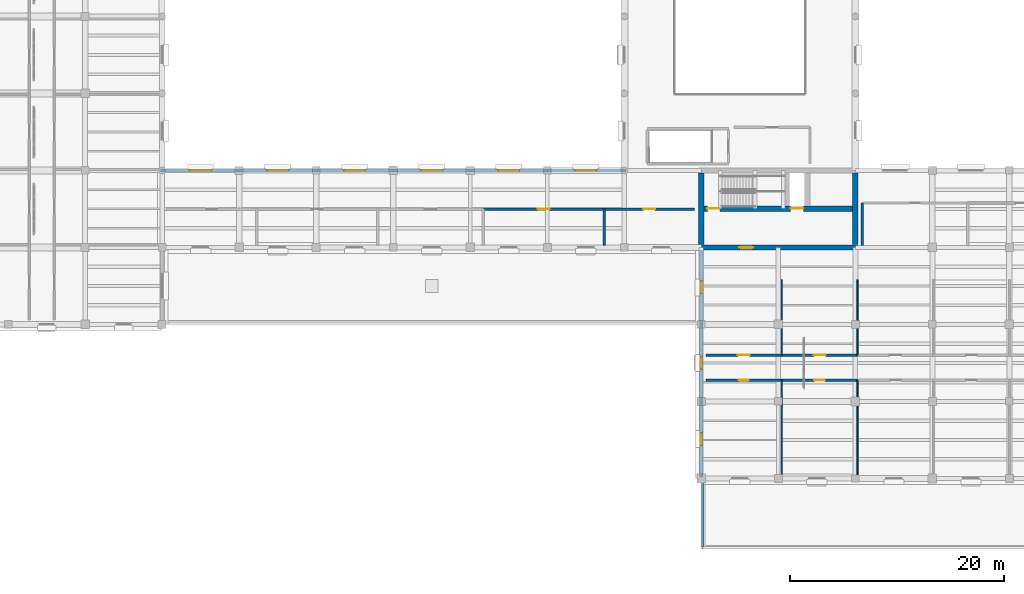
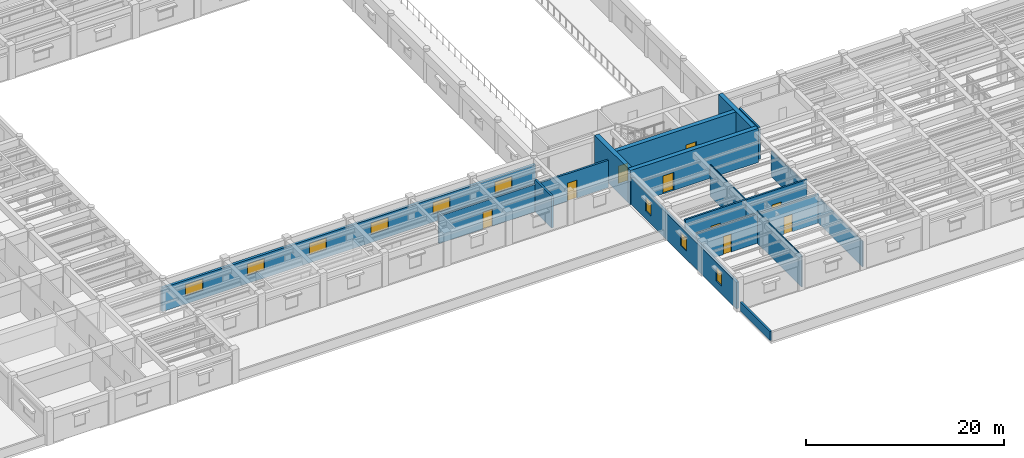
# One storey, part 50 of 76: 19 walls, 9 doors, 9 windows, 18 openings.
"""IFC4 building model written with IfcOpenShell, lengths in metres."""

from ifc_helpers import new_model, si_unit, direction, frame, frame_2d, origin, place, context, subcontext, project, spatial, rectangle, extrude, material, layer, layer_set, type_object, element, fill, save


model = new_model("IFC4")

# Units and contexts
model_context = context("Model", 3, precision=1e-05, world=origin(), true_north=direction((0.0, 1.0)))
body_context = subcontext(model_context, "Body", "Model", "MODEL_VIEW")
ifc_project = project(units=[si_unit("LENGTHUNIT", "METRE"), si_unit("AREAUNIT", "SQUARE_METRE"), si_unit("VOLUMEUNIT", "CUBIC_METRE"), si_unit("PLANEANGLEUNIT", "RADIAN"), si_unit("MASSUNIT", "GRAM", prefix="KILO")], contexts=[model_context])

# Site, building, storey
site_placement = place(None, origin())
site = spatial("IfcSite", under=ifc_project, at=site_placement, CompositionType="ELEMENT")
building_placement = place(site_placement, origin())
building = spatial("IfcBuilding", under=site, at=building_placement, Name="Mithqara Police Headquarters", CompositionType="ELEMENT")
storey_placement = place(building_placement, frame((0.0, 0.0, 5.39990234375)))
storey = spatial("IfcBuildingStorey", under=building, at=storey_placement, Name="L01", CompositionType="ELEMENT", Elevation=5.39990234375)

# Wall, openings, windows
ifc_material_1 = material(Name="Ochre masonry cavity wall, 35 MPa", Category="masonry")
ifc_layer_1 = layer(ifc_material_1, 0.300048828125, Name="Ochre masonry cavity wall, 35 MPa")
ifc_layer_set_1 = layer_set([ifc_layer_1], Name="Ochre masonry cavity wall, 35 MPa")
wall_type_1 = type_object("IfcWallType", Name="EXT WALL OCHRE BRICK300", PredefinedType="SOLIDWALL", material=ifc_layer_set_1)
wall_1_placement = place(storey_placement, frame((79.800048828125, 27.949951171875, 0.0), z_axis=(0.0, 0.0, 1.0), x_axis=(0.0, -1.0, 0.0)))
wall_1 = element("IfcWall", 1, at=wall_1_placement, inside=storey, type_object=wall_type_1, Name="L01 Exterior Wall 1.1", PredefinedType="SOLIDWALL", context=body_context, shape_type="SweptSolid", body=[
    extrude(rectangle(XDim=21.199951171875, YDim=0.300048828125, at=frame_2d((10.60009765625, 0.0))), origin(), (0.0, 0.0, 1.0), 3.27001953125),
])
opening_1_placement = place(wall_1_placement, frame((17.10009765625, 0.0, 1.0)))
opening_1 = element("IfcOpeningElement", 2, at=opening_1_placement, cuts=wall_1, Name="Opening W-12", PredefinedType="OPENING", context=body_context, shape_type="SweptSolid", body=[
    extrude(rectangle(XDim=1.14990234375, YDim=1.64990234375, at=frame_2d((0.574951171875, 0.824951171875))), frame((0.0, 0.16015625, 0.0), z_axis=(0.0, -1.0, 0.0), x_axis=(1.0, 0.0, 0.0)), (0.0, 0.0, 1.0), 0.320068359375),
])
opening_2_placement = place(wall_1_placement, frame((9.97509765625, 0.0, 1.0)))
opening_2 = element("IfcOpeningElement", 3, at=opening_2_placement, cuts=wall_1, Name="Opening W-12", PredefinedType="OPENING", context=body_context, shape_type="SweptSolid", body=[
    extrude(rectangle(XDim=1.14990234375, YDim=1.64990234375, at=frame_2d((0.574951171875, 0.824951171875))), frame((0.0, 0.16015625, 0.0), z_axis=(0.0, -1.0, 0.0), x_axis=(1.0, 0.0, 0.0)), (0.0, 0.0, 1.0), 0.320068359375),
])
opening_3_placement = place(wall_1_placement, frame((2.89990234375, 0.0, 1.0)))
opening_3 = element("IfcOpeningElement", 4, at=opening_3_placement, cuts=wall_1, Name="Opening W-12", PredefinedType="OPENING", context=body_context, shape_type="SweptSolid", body=[
    extrude(rectangle(XDim=1.14990234375, YDim=1.64990234375, at=frame_2d((0.574951171875, 0.824951171875))), frame((0.0, 0.16015625, 0.0), z_axis=(0.0, -1.0, 0.0), x_axis=(1.0, 0.0, 0.0)), (0.0, 0.0, 1.0), 0.320068359375),
])
ifc_material_2 = material(Name="Spectrally selective double low-e glass", Category="glass")
window_type_1 = type_object("IfcWindowType", Name="WINDOW 1150X1650", PartitioningType="SINGLE_PANEL", PredefinedType="WINDOW", material=ifc_material_2)
window_1_placement = place(opening_1_placement, origin())
window_1 = element("IfcWindow", 5, at=window_1_placement, inside=storey, type_object=window_type_1, Name="L01 Deep-Set Punched Window 1.1", OverallHeight=1.64990234375, OverallWidth=1.14990234375, PartitioningType="SINGLE_PANEL", PredefinedType="WINDOW", context=body_context, shape_type="SweptSolid", body=[
    extrude(rectangle(XDim=1.14990234375, YDim=1.64990234375, at=frame_2d((0.574951171875, 0.824951171875))), frame((0.0, 0.030029296875, 0.0), z_axis=(0.0, -1.0, 0.0), x_axis=(1.0, 0.0, 0.0)), (0.0, 0.0, 1.0), 0.06005859375),
])
fill(opening_1, window_1)
window_2_placement = place(opening_2_placement, origin())
window_2 = element("IfcWindow", 6, at=window_2_placement, inside=storey, type_object=window_type_1, Name="L01 Deep-Set Punched Window 1.2", OverallHeight=1.64990234375, OverallWidth=1.14990234375, PartitioningType="SINGLE_PANEL", PredefinedType="WINDOW", context=body_context, shape_type="SweptSolid", body=[
    extrude(rectangle(XDim=1.14990234375, YDim=1.64990234375, at=frame_2d((0.574951171875, 0.824951171875))), frame((0.0, 0.030029296875, 0.0), z_axis=(0.0, -1.0, 0.0), x_axis=(1.0, 0.0, 0.0)), (0.0, 0.0, 1.0), 0.06005859375),
])
fill(opening_2, window_2)
window_3_placement = place(opening_3_placement, origin())
window_3 = element("IfcWindow", 7, at=window_3_placement, inside=storey, type_object=window_type_1, Name="L01 Deep-Set Punched Window 1.3", OverallHeight=1.64990234375, OverallWidth=1.14990234375, PartitioningType="SINGLE_PANEL", PredefinedType="WINDOW", context=body_context, shape_type="SweptSolid", body=[
    extrude(rectangle(XDim=1.14990234375, YDim=1.64990234375, at=frame_2d((0.574951171875, 0.824951171875))), frame((0.0, 0.030029296875, 0.0), z_axis=(0.0, -1.0, 0.0), x_axis=(1.0, 0.0, 0.0)), (0.0, 0.0, 1.0), 0.06005859375),
])
fill(opening_3, window_3)

wall_2_placement = place(storey_placement, frame((72.75, 35.39990234375, 0.0), z_axis=(0.0, 0.0, 1.0), x_axis=(-1.0, 0.0, 0.0)))
wall_2 = element("IfcWall", 8, at=wall_2_placement, inside=storey, type_object=wall_type_1, Name="L01 Exterior Wall 5.1", PredefinedType="SOLIDWALL", context=body_context, shape_type="SweptSolid", body=[
    extrude(rectangle(XDim=43.5, YDim=0.300048828125, at=frame_2d((21.75, 0.0))), origin(), (0.0, 0.0, 1.0), 2.920166015625),
])
opening_4_placement = place(wall_2_placement, frame((38.75, 0.0, 1.0)))
opening_4 = element("IfcOpeningElement", 9, at=opening_4_placement, cuts=wall_2, Name="Opening W-36", PredefinedType="OPENING", context=body_context, shape_type="SweptSolid", body=[
    extrude(rectangle(XDim=2.0, YDim=1.39990234375, at=frame_2d((1.0, 0.699951171875))), frame((0.0, 0.16015625, 0.0), z_axis=(0.0, -1.0, 0.0), x_axis=(1.0, 0.0, 0.0)), (0.0, 0.0, 1.0), 0.320068359375),
])
opening_5_placement = place(wall_2_placement, frame((31.550048828125, 0.0, 1.0)))
opening_5 = element("IfcOpeningElement", 10, at=opening_5_placement, cuts=wall_2, Name="Opening W-36", PredefinedType="OPENING", context=body_context, shape_type="SweptSolid", body=[
    extrude(rectangle(XDim=2.0, YDim=1.39990234375, at=frame_2d((1.0, 0.699951171875))), frame((0.0, 0.16015625, 0.0), z_axis=(0.0, -1.0, 0.0), x_axis=(1.0, 0.0, 0.0)), (0.0, 0.0, 1.0), 0.320068359375),
])
opening_6_placement = place(wall_2_placement, frame((24.35009765625, 0.0, 1.0)))
opening_6 = element("IfcOpeningElement", 11, at=opening_6_placement, cuts=wall_2, Name="Opening W-36", PredefinedType="OPENING", context=body_context, shape_type="SweptSolid", body=[
    extrude(rectangle(XDim=2.0, YDim=1.39990234375, at=frame_2d((1.0, 0.699951171875))), frame((0.0, 0.16015625, 0.0), z_axis=(0.0, -1.0, 0.0), x_axis=(1.0, 0.0, 0.0)), (0.0, 0.0, 1.0), 0.320068359375),
])
opening_7_placement = place(wall_2_placement, frame((17.14990234375, 0.0, 1.0)))
opening_7 = element("IfcOpeningElement", 12, at=opening_7_placement, cuts=wall_2, Name="Opening W-36", PredefinedType="OPENING", context=body_context, shape_type="SweptSolid", body=[
    extrude(rectangle(XDim=2.0, YDim=1.39990234375, at=frame_2d((1.0, 0.699951171875))), frame((0.0, 0.16015625, 0.0), z_axis=(0.0, -1.0, 0.0), x_axis=(1.0, 0.0, 0.0)), (0.0, 0.0, 1.0), 0.320068359375),
])
opening_8_placement = place(wall_2_placement, frame((9.949951171875, 0.0, 1.0)))
opening_8 = element("IfcOpeningElement", 13, at=opening_8_placement, cuts=wall_2, Name="Opening W-36", PredefinedType="OPENING", context=body_context, shape_type="SweptSolid", body=[
    extrude(rectangle(XDim=2.0, YDim=1.39990234375, at=frame_2d((1.0, 0.699951171875))), frame((0.0, 0.16015625, 0.0), z_axis=(0.0, -1.0, 0.0), x_axis=(1.0, 0.0, 0.0)), (0.0, 0.0, 1.0), 0.320068359375),
])
opening_9_placement = place(wall_2_placement, frame((2.75, 0.0, 1.0)))
opening_9 = element("IfcOpeningElement", 14, at=opening_9_placement, cuts=wall_2, Name="Opening W-36", PredefinedType="OPENING", context=body_context, shape_type="SweptSolid", body=[
    extrude(rectangle(XDim=2.0, YDim=1.39990234375, at=frame_2d((1.0, 0.699951171875))), frame((0.0, 0.16015625, 0.0), z_axis=(0.0, -1.0, 0.0), x_axis=(1.0, 0.0, 0.0)), (0.0, 0.0, 1.0), 0.320068359375),
])
window_type_2 = type_object("IfcWindowType", Name="WINDOW 2000X1400", PartitioningType="DOUBLE_PANEL_VERTICAL", PredefinedType="WINDOW", material=ifc_material_2)
window_4_placement = place(opening_4_placement, origin())
window_4 = element("IfcWindow", 15, at=window_4_placement, inside=storey, type_object=window_type_2, Name="L01 Deep-Set Punched Window 5.1", OverallHeight=1.39990234375, OverallWidth=2.0, PartitioningType="SINGLE_PANEL", PredefinedType="WINDOW", context=body_context, shape_type="SweptSolid", body=[
    extrude(rectangle(XDim=2.0, YDim=1.39990234375, at=frame_2d((1.0, 0.699951171875))), frame((0.0, 0.030029296875, 0.0), z_axis=(0.0, -1.0, 0.0), x_axis=(1.0, 0.0, 0.0)), (0.0, 0.0, 1.0), 0.06005859375),
])
fill(opening_4, window_4)
window_5_placement = place(opening_5_placement, origin())
window_5 = element("IfcWindow", 16, at=window_5_placement, inside=storey, type_object=window_type_2, Name="L01 Deep-Set Punched Window 5.2", OverallHeight=1.39990234375, OverallWidth=2.0, PartitioningType="SINGLE_PANEL", PredefinedType="WINDOW", context=body_context, shape_type="SweptSolid", body=[
    extrude(rectangle(XDim=2.0, YDim=1.39990234375, at=frame_2d((1.0, 0.699951171875))), frame((0.0, 0.030029296875, 0.0), z_axis=(0.0, -1.0, 0.0), x_axis=(1.0, 0.0, 0.0)), (0.0, 0.0, 1.0), 0.06005859375),
])
fill(opening_5, window_5)
window_6_placement = place(opening_6_placement, origin())
window_6 = element("IfcWindow", 17, at=window_6_placement, inside=storey, type_object=window_type_2, Name="L01 Deep-Set Punched Window 5.3", OverallHeight=1.39990234375, OverallWidth=2.0, PartitioningType="SINGLE_PANEL", PredefinedType="WINDOW", context=body_context, shape_type="SweptSolid", body=[
    extrude(rectangle(XDim=2.0, YDim=1.39990234375, at=frame_2d((1.0, 0.699951171875))), frame((0.0, 0.030029296875, 0.0), z_axis=(0.0, -1.0, 0.0), x_axis=(1.0, 0.0, 0.0)), (0.0, 0.0, 1.0), 0.06005859375),
])
fill(opening_6, window_6)
window_7_placement = place(opening_7_placement, origin())
window_7 = element("IfcWindow", 18, at=window_7_placement, inside=storey, type_object=window_type_2, Name="L01 Deep-Set Punched Window 5.4", OverallHeight=1.39990234375, OverallWidth=2.0, PartitioningType="SINGLE_PANEL", PredefinedType="WINDOW", context=body_context, shape_type="SweptSolid", body=[
    extrude(rectangle(XDim=2.0, YDim=1.39990234375, at=frame_2d((1.0, 0.699951171875))), frame((0.0, 0.030029296875, 0.0), z_axis=(0.0, -1.0, 0.0), x_axis=(1.0, 0.0, 0.0)), (0.0, 0.0, 1.0), 0.06005859375),
])
fill(opening_7, window_7)
window_8_placement = place(opening_8_placement, origin())
window_8 = element("IfcWindow", 19, at=window_8_placement, inside=storey, type_object=window_type_2, Name="L01 Deep-Set Punched Window 5.5", OverallHeight=1.39990234375, OverallWidth=2.0, PartitioningType="SINGLE_PANEL", PredefinedType="WINDOW", context=body_context, shape_type="SweptSolid", body=[
    extrude(rectangle(XDim=2.0, YDim=1.39990234375, at=frame_2d((1.0, 0.699951171875))), frame((0.0, 0.030029296875, 0.0), z_axis=(0.0, -1.0, 0.0), x_axis=(1.0, 0.0, 0.0)), (0.0, 0.0, 1.0), 0.06005859375),
])
fill(opening_8, window_8)
window_9_placement = place(opening_9_placement, origin())
window_9 = element("IfcWindow", 20, at=window_9_placement, inside=storey, type_object=window_type_2, Name="L01 Deep-Set Punched Window 5.6", OverallHeight=1.39990234375, OverallWidth=2.0, PartitioningType="SINGLE_PANEL", PredefinedType="WINDOW", context=body_context, shape_type="SweptSolid", body=[
    extrude(rectangle(XDim=2.0, YDim=1.39990234375, at=frame_2d((1.0, 0.699951171875))), frame((0.0, 0.030029296875, 0.0), z_axis=(0.0, -1.0, 0.0), x_axis=(1.0, 0.0, 0.0)), (0.0, 0.0, 1.0), 0.06005859375),
])
fill(opening_9, window_9)

# Walls
ifc_material_3 = material(Name="Limestone ashlar masonry, 45 MPa", Category="masonry")
ifc_layer_2 = layer(ifc_material_3, 0.199951171875, Name="Limestone ashlar masonry, 45 MPa")
ifc_layer_set_2 = layer_set([ifc_layer_2], Name="Limestone ashlar masonry, 45 MPa")
wall_type_2 = type_object("IfcWallType", Name="PARAPET WALL 200", PredefinedType="PARAPET", material=ifc_layer_set_2)
wall_3_placement = place(storey_placement, frame((79.909912109375, 0.219970703125, 0.0), z_axis=(0.0, 0.0, 1.0), x_axis=(0.0, 1.0, 0.0)))
element("IfcWall", 21, at=wall_3_placement, inside=storey, type_object=wall_type_2, Name="L01 Limestone Roof Parapet ROOF-L00-03-72", PredefinedType="PARAPET", context=body_context, shape_type="SweptSolid", body=[
    extrude(rectangle(XDim=6.050048828125, YDim=0.199951171875, at=frame_2d((3.02490234375, 0.0))), origin(), (0.0, 0.0, 1.0), 1.1201171875),
])
ifc_material_4 = material(Name="Gypsum acoustic stud partition", Category="gypsum")
ifc_layer_3 = layer(ifc_material_4, 0.1201171875, Name="Gypsum acoustic stud partition")
ifc_layer_set_3 = layer_set([ifc_layer_3], Name="Gypsum acoustic stud partition")
wall_type_3 = type_object("IfcWallType", Name="PART WALL 120", PredefinedType="PARTITIONING", material=ifc_layer_set_3)
wall_4_placement = place(storey_placement, frame((87.31494140625, 6.780029296875, 0.0), z_axis=(0.0, 0.0, 1.0), x_axis=(0.0, 1.0, 0.0)))
element("IfcWall", 22, at=wall_4_placement, inside=storey, type_object=wall_type_3, Name="L01 Room Partition Custody Suite", PredefinedType="PARTITIONING", context=body_context, shape_type="SweptSolid", body=[
    extrude(rectangle(XDim=9.010009765625, YDim=0.1201171875, at=frame_2d((4.5048828125, 0.0))), origin(), (0.0, 0.0, 1.0), 3.920166015625),
])
wall_5_placement = place(storey_placement, frame((94.409912109375, 6.780029296875, 0.0), z_axis=(0.0, 0.0, 1.0), x_axis=(0.0, 1.0, 0.0)))
element("IfcWall", 23, at=wall_5_placement, inside=storey, type_object=wall_type_3, Name="L01 Room Partition Custody Cell Block Male", PredefinedType="PARTITIONING", context=body_context, shape_type="SweptSolid", body=[
    extrude(rectangle(XDim=9.010009765625, YDim=0.1201171875, at=frame_2d((4.5048828125, 0.0))), origin(), (0.0, 0.0, 1.0), 3.170166015625),
])
wall_6_placement = place(storey_placement, frame((87.31494140625, 18.1298828125, 0.0), z_axis=(0.0, 0.0, 1.0), x_axis=(0.0, 1.0, 0.0)))
element("IfcWall", 24, at=wall_6_placement, inside=storey, type_object=wall_type_3, Name="L01 Room Partition Juvenile Custody Suite", PredefinedType="PARTITIONING", context=body_context, shape_type="SweptSolid", body=[
    extrude(rectangle(XDim=7.070068359375, YDim=0.1201171875, at=frame_2d((3.53515625, 0.0))), origin(), (0.0, 0.0, 1.0), 3.920166015625),
])
wall_7_placement = place(storey_placement, frame((94.409912109375, 18.1298828125, 0.0), z_axis=(0.0, 0.0, 1.0), x_axis=(0.0, 1.0, 0.0)))
element("IfcWall", 25, at=wall_7_placement, inside=storey, type_object=wall_type_3, Name="L01 Room Partition Custody Interview Room", PredefinedType="PARTITIONING", context=body_context, shape_type="SweptSolid", body=[
    extrude(rectangle(XDim=7.070068359375, YDim=0.1201171875, at=frame_2d((3.53515625, 0.0))), origin(), (0.0, 0.0, 1.0), 3.170166015625),
])
ifc_material_5 = material(Name="Concrete C40/50", Category="concrete")
ifc_layer_4 = layer(ifc_material_5, 0.2099609375, Name="Concrete C40/50")
ifc_layer_set_4 = layer_set([ifc_layer_4], Name="Concrete C40/50")
wall_type_4 = type_object("IfcWallType", Name="PART WALL 210", PredefinedType="PARTITIONING", material=ifc_layer_set_4)
wall_8_placement = place(storey_placement, frame((94.85009765625, 28.3798828125, 0.0), z_axis=(0.0, 0.0, 1.0), x_axis=(0.0, 1.0, 0.0)))
element("IfcWall", 26, at=wall_8_placement, inside=storey, type_object=wall_type_4, Name="L01 Partition End Closure E0", PredefinedType="PARTITIONING", context=body_context, shape_type="SweptSolid", body=[
    extrude(rectangle(XDim=3.980224609375, YDim=0.2099609375, at=frame_2d((1.990234375, 0.0))), origin(), (0.0, 0.0, 1.0), 3.920166015625),
])

# Wall, opening, door
wall_9_placement = place(storey_placement, frame((80.219970703125, 15.7900390625, 0.0), z_axis=(0.0, 0.0, 1.0), x_axis=(1.0, 0.0, 0.0)))
wall_9 = element("IfcWall", 27, at=wall_9_placement, inside=storey, type_object=wall_type_4, Name="L01 Corridor Wall Custody Suite", PredefinedType="PARTITIONING", context=body_context, shape_type="SweptSolid", body=[
    extrude(rectangle(XDim=7.094970703125, YDim=0.2099609375, at=frame_2d((3.54736328125, 0.0))), origin(), (0.0, 0.0, 1.0), 3.6201171875),
])
opening_10_placement = place(wall_9_placement, frame((3.08740234375, 0.0, 0.0)))
opening_10 = element("IfcOpeningElement", 28, at=opening_10_placement, cuts=wall_9, Name="Opening D-02", PredefinedType="OPENING", context=body_context, shape_type="SweptSolid", body=[
    extrude(rectangle(XDim=0.919921875, YDim=2.219970703125, at=frame_2d((0.4599609375, 1.10986328125))), frame((0.0, 0.114990234375, 0.0), z_axis=(0.0, -1.0, 0.0), x_axis=(1.0, 0.0, 0.0)), (0.0, 0.0, 1.0), 0.22998046875),
])
ifc_material_6 = material(Name="Acoustic solid-core timber leaf", Category="wood")
door_type_1 = type_object("IfcDoorType", Name="INT DOOR 920X2220", OperationType="NOTDEFINED", PredefinedType="DOOR", material=ifc_material_6)
door_1_placement = place(opening_10_placement, frame((0.919921875, 0.0, 0.0), z_axis=(0.0, 0.0, 1.0), x_axis=(-1.0, 0.0, 0.0)))
door_1 = element("IfcDoor", 29, at=door_1_placement, inside=storey, type_object=door_type_1, Name="Custody Suite Entry Door", OperationType="SINGLE_SWING_LEFT", OverallHeight=2.219970703125, OverallWidth=0.919921875, PredefinedType="DOOR", context=body_context, shape_type="SweptSolid", body=[
    extrude(rectangle(XDim=0.919921875, YDim=2.219970703125, at=frame_2d((0.4599609375, 1.10986328125))), frame((0.0, 0.02490234375, 0.0), z_axis=(0.0, -1.0, 0.0), x_axis=(1.0, 0.0, 0.0)), (0.0, 0.0, 1.0), 0.050048828125),
])
fill(opening_10, door_1)

wall_10_placement = place(storey_placement, frame((87.31494140625, 15.7900390625, 0.0), z_axis=(0.0, 0.0, 1.0), x_axis=(1.0, 0.0, 0.0)))
wall_10 = element("IfcWall", 30, at=wall_10_placement, inside=storey, type_object=wall_type_4, Name="L01 Corridor Wall Custody Cell Block Male", PredefinedType="PARTITIONING", context=body_context, shape_type="SweptSolid", body=[
    extrude(rectangle(XDim=7.094970703125, YDim=0.2099609375, at=frame_2d((3.54736328125, 0.0))), origin(), (0.0, 0.0, 1.0), 3.56005859375),
])
opening_11_placement = place(wall_10_placement, frame((3.047607421875, 0.0, 0.0)))
opening_11 = element("IfcOpeningElement", 31, at=opening_11_placement, cuts=wall_10, Name="Opening CD-01", PredefinedType="OPENING", context=body_context, shape_type="SweptSolid", body=[
    extrude(rectangle(XDim=1.0, YDim=2.14990234375, at=frame_2d((0.5, 1.074951171875))), frame((0.0, 0.114990234375, 0.0), z_axis=(0.0, -1.0, 0.0), x_axis=(1.0, 0.0, 0.0)), (0.0, 0.0, 1.0), 0.22998046875),
])
ifc_material_7 = material(Name="Steel S355JR", Category="steel")
door_type_2 = type_object("IfcDoorType", Name="CUSTODY DOOR 1000X2150", OperationType="NOTDEFINED", PredefinedType="DOOR", material=ifc_material_7)
door_2_placement = place(opening_11_placement, frame((1.0, 0.0, 0.0), z_axis=(0.0, 0.0, 1.0), x_axis=(-1.0, 0.0, 0.0)))
door_2 = element("IfcDoor", 32, at=door_2_placement, inside=storey, type_object=door_type_2, Name="Custody Cell Block Male Entry Door", OperationType="SINGLE_SWING_RIGHT", OverallHeight=2.14990234375, OverallWidth=1.0, PredefinedType="DOOR", context=body_context, shape_type="SweptSolid", body=[
    extrude(rectangle(XDim=1.0, YDim=2.14990234375, at=frame_2d((0.5, 1.074951171875))), frame((0.0, 0.02490234375, 0.0), z_axis=(0.0, -1.0, 0.0), x_axis=(1.0, 0.0, 0.0)), (0.0, 0.0, 1.0), 0.050048828125),
])
fill(opening_11, door_2)

wall_11_placement = place(storey_placement, frame((80.219970703125, 18.1298828125, 0.0), z_axis=(0.0, 0.0, 1.0), x_axis=(1.0, 0.0, 0.0)))
wall_11 = element("IfcWall", 33, at=wall_11_placement, inside=storey, type_object=wall_type_4, Name="L01 Corridor Wall Juvenile Custody Suite", PredefinedType="PARTITIONING", context=body_context, shape_type="SweptSolid", body=[
    extrude(rectangle(XDim=7.094970703125, YDim=0.2099609375, at=frame_2d((3.54736328125, 0.0))), origin(), (0.0, 0.0, 1.0), 3.920166015625),
])
opening_12_placement = place(wall_11_placement, frame((2.99755859375, 0.0, 0.0)))
opening_12 = element("IfcOpeningElement", 34, at=opening_12_placement, cuts=wall_11, Name="Opening D-10", PredefinedType="OPENING", context=body_context, shape_type="SweptSolid", body=[
    extrude(rectangle(XDim=1.10009765625, YDim=2.10009765625, at=frame_2d((0.550048828125, 1.050048828125))), frame((0.0, 0.114990234375, 0.0), z_axis=(0.0, -1.0, 0.0), x_axis=(1.0, 0.0, 0.0)), (0.0, 0.0, 1.0), 0.22998046875),
])
door_type_3 = type_object("IfcDoorType", Name="INT DOOR 1100X2100", OperationType="NOTDEFINED", PredefinedType="DOOR", material=ifc_material_6)
door_3_placement = place(opening_12_placement, origin())
door_3 = element("IfcDoor", 35, at=door_3_placement, inside=storey, type_object=door_type_3, Name="Juvenile Custody Suite Entry Door", OperationType="SINGLE_SWING_LEFT", OverallHeight=2.10009765625, OverallWidth=1.10009765625, PredefinedType="DOOR", context=body_context, shape_type="SweptSolid", body=[
    extrude(rectangle(XDim=1.10009765625, YDim=2.10009765625, at=frame_2d((0.550048828125, 1.050048828125))), frame((0.0, 0.02490234375, 0.0), z_axis=(0.0, -1.0, 0.0), x_axis=(1.0, 0.0, 0.0)), (0.0, 0.0, 1.0), 0.050048828125),
])
fill(opening_12, door_3)

wall_12_placement = place(storey_placement, frame((87.31494140625, 18.1298828125, 0.0), z_axis=(0.0, 0.0, 1.0), x_axis=(1.0, 0.0, 0.0)))
wall_12 = element("IfcWall", 36, at=wall_12_placement, inside=storey, type_object=wall_type_4, Name="L01 Corridor Wall Custody Interview Room", PredefinedType="PARTITIONING", context=body_context, shape_type="SweptSolid", body=[
    extrude(rectangle(XDim=7.094970703125, YDim=0.2099609375, at=frame_2d((3.54736328125, 0.0))), origin(), (0.0, 0.0, 1.0), 3.920166015625),
])
opening_13_placement = place(wall_12_placement, frame((2.99755859375, 0.0, 0.0)))
opening_13 = element("IfcOpeningElement", 37, at=opening_13_placement, cuts=wall_12, Name="Opening D-11", PredefinedType="OPENING", context=body_context, shape_type="SweptSolid", body=[
    extrude(rectangle(XDim=1.10009765625, YDim=2.219970703125, at=frame_2d((0.550048828125, 1.10986328125))), frame((0.0, 0.114990234375, 0.0), z_axis=(0.0, -1.0, 0.0), x_axis=(1.0, 0.0, 0.0)), (0.0, 0.0, 1.0), 0.22998046875),
])
door_type_4 = type_object("IfcDoorType", Name="INT DOOR 1100X2220", OperationType="NOTDEFINED", PredefinedType="DOOR", material=ifc_material_6)
door_4_placement = place(opening_13_placement, origin())
door_4 = element("IfcDoor", 38, at=door_4_placement, inside=storey, type_object=door_type_4, Name="Custody Interview Room Entry Door", OperationType="SINGLE_SWING_RIGHT", OverallHeight=2.219970703125, OverallWidth=1.10009765625, PredefinedType="DOOR", context=body_context, shape_type="SweptSolid", body=[
    extrude(rectangle(XDim=1.10009765625, YDim=2.219970703125, at=frame_2d((0.550048828125, 1.10986328125))), frame((0.0, 0.02490234375, 0.0), z_axis=(0.0, -1.0, 0.0), x_axis=(1.0, 0.0, 0.0)), (0.0, 0.0, 1.0), 0.050048828125),
])
fill(opening_13, door_4)

ifc_layer_5 = layer(ifc_material_5, 0.22998046875, Name="Concrete C40/50")
ifc_layer_set_5 = layer_set([ifc_layer_5], Name="Concrete C40/50")
wall_type_5 = type_object("IfcWallType", Name="PART WALL 230", PredefinedType="PARTITIONING", material=ifc_layer_set_5)
wall_13_placement = place(storey_placement, frame((59.41796875, 31.780029296875, 0.0), z_axis=(0.0, 0.0, 1.0), x_axis=(1.0, 0.0, 0.0)))
wall_13 = element("IfcWall", 39, at=wall_13_placement, inside=storey, type_object=wall_type_5, Name="L01 Corridor Wall Juvenile Welfare Consultation Room", PredefinedType="PARTITIONING", context=body_context, shape_type="SweptSolid", body=[
    extrude(rectangle(XDim=11.31591796875, YDim=0.22998046875, at=frame_2d((5.657958984375, 0.0))), origin(), (0.0, 0.0, 1.0), 3.3701171875),
])
opening_14_placement = place(wall_13_placement, frame((5.10791015625, 0.0, 0.0)))
opening_14 = element("IfcOpeningElement", 40, at=opening_14_placement, cuts=wall_13, Name="Opening D-10", PredefinedType="OPENING", context=body_context, shape_type="SweptSolid", body=[
    extrude(rectangle(XDim=1.10009765625, YDim=2.10009765625, at=frame_2d((0.550048828125, 1.050048828125))), frame((0.0, 0.125, 0.0), z_axis=(0.0, -1.0, 0.0), x_axis=(1.0, 0.0, 0.0)), (0.0, 0.0, 1.0), 0.25),
])
door_5_placement = place(opening_14_placement, frame((1.10009765625, 0.0, 0.0), z_axis=(0.0, 0.0, 1.0), x_axis=(-1.0, 0.0, 0.0)))
door_5 = element("IfcDoor", 41, at=door_5_placement, inside=storey, type_object=door_type_3, Name="Juvenile Welfare Consultation Room Entry Door", OperationType="SINGLE_SWING_LEFT", OverallHeight=2.10009765625, OverallWidth=1.10009765625, PredefinedType="DOOR", context=body_context, shape_type="SweptSolid", body=[
    extrude(rectangle(XDim=1.10009765625, YDim=2.10009765625, at=frame_2d((0.550048828125, 1.050048828125))), frame((0.0, 0.02490234375, 0.0), z_axis=(0.0, -1.0, 0.0), x_axis=(1.0, 0.0, 0.0)), (0.0, 0.0, 1.0), 0.050048828125),
])
fill(opening_14, door_5)

# Wall
wall_14_placement = place(storey_placement, frame((70.73388671875, 28.3798828125, 0.0), z_axis=(0.0, 0.0, 1.0), x_axis=(0.0, 1.0, 0.0)))
element("IfcWall", 42, at=wall_14_placement, inside=storey, type_object=wall_type_5, Name="L01 Room Partition Juvenile Welfare Consultation Room", PredefinedType="PARTITIONING", context=body_context, shape_type="SweptSolid", body=[
    extrude(rectangle(XDim=3.400146484375, YDim=0.22998046875, at=frame_2d((1.7001953125, 0.0))), origin(), (0.0, 0.0, 1.0), 3.920166015625),
])

# Wall, opening, door
wall_15_placement = place(storey_placement, frame((70.73388671875, 31.780029296875, 0.0), z_axis=(0.0, 0.0, 1.0), x_axis=(1.0, 0.0, 0.0)))
wall_15 = element("IfcWall", 43, at=wall_15_placement, inside=storey, type_object=wall_type_5, Name="L01 Corridor Wall Family Protection Suite", PredefinedType="PARTITIONING", context=body_context, shape_type="SweptSolid", body=[
    extrude(rectangle(XDim=8.416015625, YDim=0.22998046875, at=frame_2d((4.2080078125, 0.0))), origin(), (0.0, 0.0, 1.0), 3.3701171875),
])
opening_15_placement = place(wall_15_placement, frame((3.657958984375, 0.0, 0.0)))
opening_15 = element("IfcOpeningElement", 44, at=opening_15_placement, cuts=wall_15, Name="Opening D-11", PredefinedType="OPENING", context=body_context, shape_type="SweptSolid", body=[
    extrude(rectangle(XDim=1.10009765625, YDim=2.219970703125, at=frame_2d((0.550048828125, 1.10986328125))), frame((0.0, 0.125, 0.0), z_axis=(0.0, -1.0, 0.0), x_axis=(1.0, 0.0, 0.0)), (0.0, 0.0, 1.0), 0.25),
])
door_6_placement = place(opening_15_placement, frame((1.10009765625, 0.0, 0.0), z_axis=(0.0, 0.0, 1.0), x_axis=(-1.0, 0.0, 0.0)))
door_6 = element("IfcDoor", 45, at=door_6_placement, inside=storey, type_object=door_type_4, Name="Family Protection Suite Entry Door", OperationType="SINGLE_SWING_RIGHT", OverallHeight=2.219970703125, OverallWidth=1.10009765625, PredefinedType="DOOR", context=body_context, shape_type="SweptSolid", body=[
    extrude(rectangle(XDim=1.10009765625, YDim=2.219970703125, at=frame_2d((0.550048828125, 1.10986328125))), frame((0.0, 0.02490234375, 0.0), z_axis=(0.0, -1.0, 0.0), x_axis=(1.0, 0.0, 0.0)), (0.0, 0.0, 1.0), 0.050048828125),
])
fill(opening_15, door_6)

ifc_material_8 = material(Name="Concrete C50/60", Category="concrete")
ifc_layer_6 = layer(ifc_material_8, 0.5, Name="Concrete C50/60")
ifc_layer_set_6 = layer_set([ifc_layer_6], Name="Concrete C50/60")
wall_type_6 = type_object("IfcWallType", Name="SHEAR WALL 500", PredefinedType="SHEAR", material=ifc_layer_set_6)
wall_16_placement = place(storey_placement, frame((79.550048828125, 28.199951171875, 0.0), z_axis=(0.0, 0.0, 1.0), x_axis=(1.0, 0.0, 0.0)))
wall_16 = element("IfcWall", 46, at=wall_16_placement, inside=storey, type_object=wall_type_6, Name="Core C5 Courtyard South Shear Wall S", PredefinedType="SHEAR", context=body_context, shape_type="SweptSolid", body=[
    extrude(rectangle(XDim=14.89990234375, YDim=0.5, at=frame_2d((7.449951171875, 0.0))), origin(), (0.0, 0.0, 1.0), 4.2001953125),
])
opening_16_placement = place(wall_16_placement, frame((3.800048828125, 0.0, 0.0)))
opening_16 = element("IfcOpeningElement", 47, at=opening_16_placement, cuts=wall_16, Name="Opening FD-02", PredefinedType="OPENING", context=body_context, shape_type="SweptSolid", body=[
    extrude(rectangle(XDim=1.300048828125, YDim=2.199951171875, at=frame_2d((0.64990234375, 1.10009765625))), frame((0.0, 0.260009765625, 0.0), z_axis=(0.0, -1.0, 0.0), x_axis=(1.0, 0.0, 0.0)), (0.0, 0.0, 1.0), 0.52001953125),
])
door_type_5 = type_object("IfcDoorType", Name="CORE DOOR LOBBY 1300X2200", OperationType="NOTDEFINED", PredefinedType="DOOR", material=ifc_material_7)
door_7_placement = place(opening_16_placement, frame((1.300048828125, 0.0, 0.0), z_axis=(0.0, 0.0, 1.0), x_axis=(-1.0, 0.0, 0.0)))
door_7 = element("IfcDoor", 48, at=door_7_placement, inside=storey, type_object=door_type_5, Name="Core C5 Courtyard South Lobby Fire Door L01", OperationType="SINGLE_SWING_LEFT", OverallHeight=2.199951171875, OverallWidth=1.300048828125, PredefinedType="DOOR", context=body_context, shape_type="SweptSolid", body=[
    extrude(rectangle(XDim=1.300048828125, YDim=2.199951171875, at=frame_2d((0.64990234375, 1.10009765625))), frame((0.0, 0.02490234375, 0.0), z_axis=(0.0, -1.0, 0.0), x_axis=(1.0, 0.0, 0.0)), (0.0, 0.0, 1.0), 0.050048828125),
])
fill(opening_16, door_7)

# Walls
for number, where, z_axis, x_axis, name in (
    (49, (79.800048828125, 28.4599609375, 0.0), (0.0, 0.0, 1.0), (0.0, 1.0, 0.0), "Core C5 Courtyard South Shear Wall W"),
    (50, (94.199951171875, 28.4599609375, 0.0), (0.0, 0.0, 1.0), (0.0, 1.0, 0.0), "Core C5 Courtyard South Shear Wall E"),
):
    element("IfcWall", number, at=place(storey_placement, frame(where, z_axis=z_axis, x_axis=x_axis)), inside=storey, type_object=wall_type_6, Name=name, PredefinedType="SHEAR", context=body_context, shape_type="SweptSolid", body=[
        extrude(rectangle(XDim=6.679931640625, YDim=0.5, at=frame_2d((3.33984375, 0.0))), origin(), (0.0, 0.0, 1.0), 4.2001953125),
    ])

# Wall, openings, doors
wall_17_placement = place(storey_placement, frame((80.06005859375, 31.820068359375, 0.0), z_axis=(0.0, 0.0, 1.0), x_axis=(1.0, 0.0, 0.0)))
wall_17 = element("IfcWall", 51, at=wall_17_placement, inside=storey, type_object=wall_type_6, Name="Core C5 Courtyard South Shear Wall M", PredefinedType="SHEAR", context=body_context, shape_type="SweptSolid", body=[
    extrude(rectangle(XDim=13.8798828125, YDim=0.5, at=frame_2d((6.93994140625, 0.0))), origin(), (0.0, 0.0, 1.0), 4.2001953125),
])
opening_17_placement = place(wall_17_placement, frame((8.080078125, 0.0, 0.0)))
opening_17 = element("IfcOpeningElement", 52, at=opening_17_placement, cuts=wall_17, Name="Opening LD-02", PredefinedType="OPENING", context=body_context, shape_type="SweptSolid", body=[
    extrude(rectangle(XDim=1.199951171875, YDim=2.14990234375, at=frame_2d((0.60009765625, 1.074951171875))), frame((0.0, 0.260009765625, 0.0), z_axis=(0.0, -1.0, 0.0), x_axis=(1.0, 0.0, 0.0)), (0.0, 0.0, 1.0), 0.52001953125),
])
opening_18_placement = place(wall_17_placement, frame((0.31494140625, 0.0, 0.0)))
opening_18 = element("IfcOpeningElement", 53, at=opening_18_placement, cuts=wall_17, Name="Opening FD-01", PredefinedType="OPENING", context=body_context, shape_type="SweptSolid", body=[
    extrude(rectangle(XDim=1.14990234375, YDim=2.14990234375, at=frame_2d((0.574951171875, 1.074951171875))), frame((0.0, 0.260009765625, 0.0), z_axis=(0.0, -1.0, 0.0), x_axis=(1.0, 0.0, 0.0)), (0.0, 0.0, 1.0), 0.52001953125),
])
door_type_6 = type_object("IfcDoorType", Name="CORE DOOR STAIR 1150X2150", OperationType="NOTDEFINED", PredefinedType="DOOR", material=ifc_material_7)
door_8_placement = place(opening_18_placement, origin())
door_8 = element("IfcDoor", 54, at=door_8_placement, inside=storey, type_object=door_type_6, Name="Stair ST-07 Fire Door L01", OperationType="SINGLE_SWING_LEFT", OverallHeight=2.14990234375, OverallWidth=1.14990234375, PredefinedType="DOOR", context=body_context, shape_type="SweptSolid", body=[
    extrude(rectangle(XDim=1.14990234375, YDim=2.14990234375, at=frame_2d((0.574951171875, 1.074951171875))), frame((0.0, 0.02490234375, 0.0), z_axis=(0.0, -1.0, 0.0), x_axis=(1.0, 0.0, 0.0)), (0.0, 0.0, 1.0), 0.050048828125),
])
fill(opening_18, door_8)
door_type_7 = type_object("IfcDoorType", Name="LIFT DOOR 1200X2150", OperationType="DOUBLE_DOOR_SLIDING", PredefinedType="DOOR", material=ifc_material_7)
door_9_placement = place(opening_17_placement, frame((1.199951171875, 0.0, 0.0), z_axis=(0.0, 0.0, 1.0), x_axis=(-1.0, 0.0, 0.0)))
door_9 = element("IfcDoor", 55, at=door_9_placement, inside=storey, type_object=door_type_7, Name="Lift Landing Door LP-07-L01", OperationType="DOUBLE_DOOR_SLIDING", OverallHeight=2.14990234375, OverallWidth=1.199951171875, PredefinedType="DOOR", context=body_context, shape_type="SweptSolid", body=[
    extrude(rectangle(XDim=1.199951171875, YDim=2.14990234375, at=frame_2d((0.60009765625, 1.074951171875))), frame((0.0, 0.02490234375, 0.0), z_axis=(0.0, -1.0, 0.0), x_axis=(1.0, 0.0, 0.0)), (0.0, 0.0, 1.0), 0.050048828125),
])
fill(opening_17, door_9)

save(model, "model.ifc")
